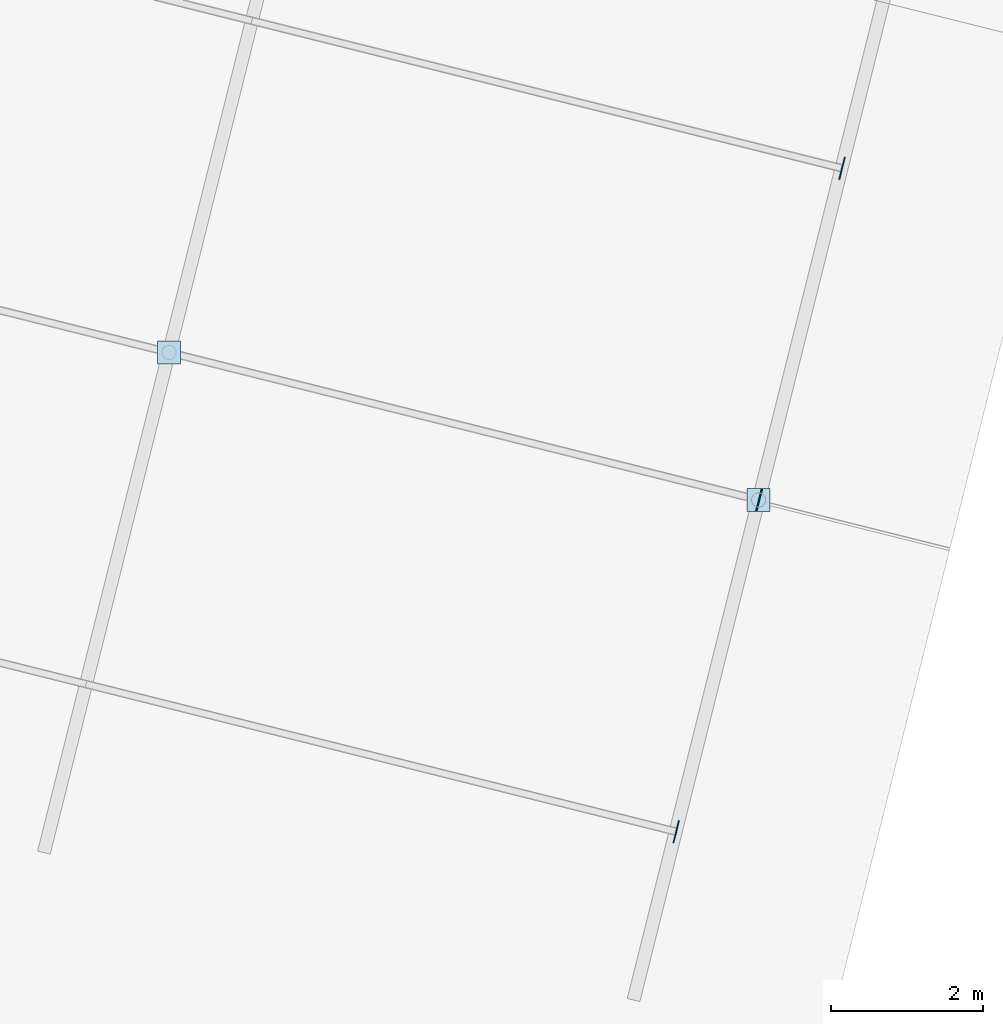
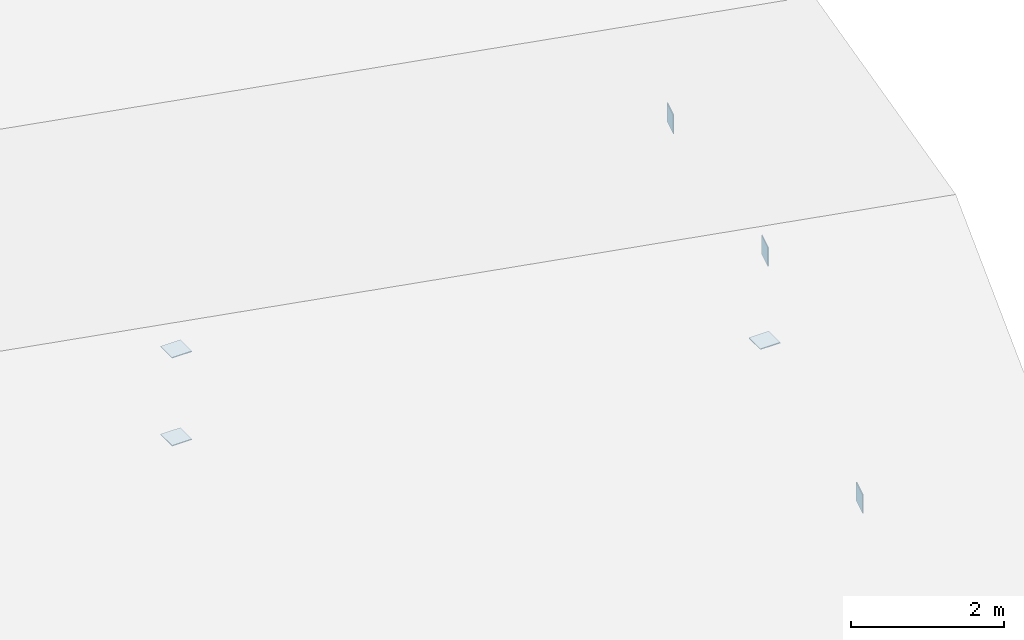
# One storey, part 103 of 107: 6 plates.
"""IFC4 building model written with IfcOpenShell, lengths in metres."""

from ifc_helpers import new_model, si_unit, derived_unit, direction, frame, origin, origin_2d, place, context, subcontext, project, spatial, rectangle, extrude, material, layer, layer_set, type_object, element, save


model = new_model("IFC4")

# Units and contexts
model_context = context("Model", 3, precision=1e-05, world=origin(), true_north=direction((0.0, 1.0)))
body_context = subcontext(model_context, "Body", "Model", "MODEL_VIEW")
ifc_project = project(units=[si_unit("LENGTHUNIT", "METRE"), si_unit("AREAUNIT", "SQUARE_METRE"), si_unit("VOLUMEUNIT", "CUBIC_METRE"), si_unit("PLANEANGLEUNIT", "RADIAN"), si_unit("MASSUNIT", "GRAM", prefix="KILO"), si_unit("THERMODYNAMICTEMPERATUREUNIT", "KELVIN"), si_unit("TIMEUNIT", "SECOND"), derived_unit("THERMALTRANSMITTANCEUNIT", [(si_unit("MASSUNIT", "GRAM", prefix="KILO"), 1), (si_unit("THERMODYNAMICTEMPERATUREUNIT", "KELVIN"), -1), (si_unit("TIMEUNIT", "SECOND"), -3)])], contexts=[model_context])

# Site, building, storey
site_placement = place(None, origin())
site = spatial("IfcSite", under=ifc_project, at=site_placement, CompositionType="ELEMENT")
building_placement = place(site_placement, origin())
building = spatial("IfcBuilding", under=site, at=building_placement, Name="Cambertide Market Hall", CompositionType="ELEMENT")
storey_placement = place(building_placement, frame((0.0, 0.0, 18.300048828125)))
storey = spatial("IfcBuildingStorey", under=building, at=storey_placement, Name="RF", CompositionType="ELEMENT", Elevation=18.300048828125)

# Plates
ifc_material = material(Name="Steel S355", Category="steel")
ifc_layer = layer(ifc_material, 0.013916015625, Name="Steel End Cap Plate EC-02")
ifc_layer_set = layer_set([ifc_layer], Name="Steel S355")
plate_type = type_object("IfcPlateType", Name="Steel End Cap Plate EC-02", PredefinedType="USERDEFINED", material=ifc_layer_set)
for number, where, z_axis, x_axis, name in (
    (1, (170.6416015625, 86.658935546875, -0.0322265625), (0.0, 0.0, 1.0), (0.970142500145, -0.242535625038, 0.0), "V4 East Gable Purlin Cap Plate 22"),
    (2, (171.73291015625, 91.0244140625, 0.88330078125), (0.0, 0.0, 1.0), (0.970142500145, -0.242535625038, 0.0), "V4 East Gable Purlin Cap Plate 67"),
    (3, (172.824462890625, 95.39013671875, -0.0322265625), (0.0, 0.0, 1.0), (0.970142500145, -0.242535625038, 0.0), "V4 East Gable Purlin Cap Plate 112"),
):
    element("IfcPlate", number, at=place(storey_placement, frame(where, z_axis=z_axis, x_axis=x_axis)), inside=storey, type_object=plate_type, Name=name, ObjectType="END CAP PLATE", PredefinedType="USERDEFINED", context=body_context, shape_type="SweptSolid", body=[
        extrude(rectangle(XDim=0.013916015625, YDim=0.300048828125, at=origin_2d()), origin(), (0.0, 0.0, 1.0), 0.300048828125),
    ])
for number, where, z_axis, x_axis, name in (
    (4, (163.965087890625, 92.966552734375, -0.4072265625), (0.0, 0.0, 1.0), (1.0, 0.0, 0.0), "High-Bay Brace Connection End Cap Plate EC-BRN-265"),
    (5, (163.965087890625, 92.966552734375, 0.99609375), (0.0, 0.0, 1.0), (1.0, 0.0, 0.0), "High-Bay Brace Connection End Cap Plate EC-BRN-266"),
    (6, (171.726318359375, 91.026123046875, -0.4072265625), (0.0, 0.0, 1.0), (1.0, 0.0, 0.0), "High-Bay Brace Connection End Cap Plate EC-BRN-269"),
):
    element("IfcPlate", number, at=place(storey_placement, frame(where, z_axis=z_axis, x_axis=x_axis)), inside=storey, type_object=plate_type, Name=name, ObjectType="END CAP PLATE", PredefinedType="USERDEFINED", context=body_context, shape_type="SweptSolid", body=[
        extrude(rectangle(XDim=0.300048828125, YDim=0.300048828125, at=origin_2d()), origin(), (0.0, 0.0, 1.0), 0.013916015625),
    ])

save(model, "model.ifc")
